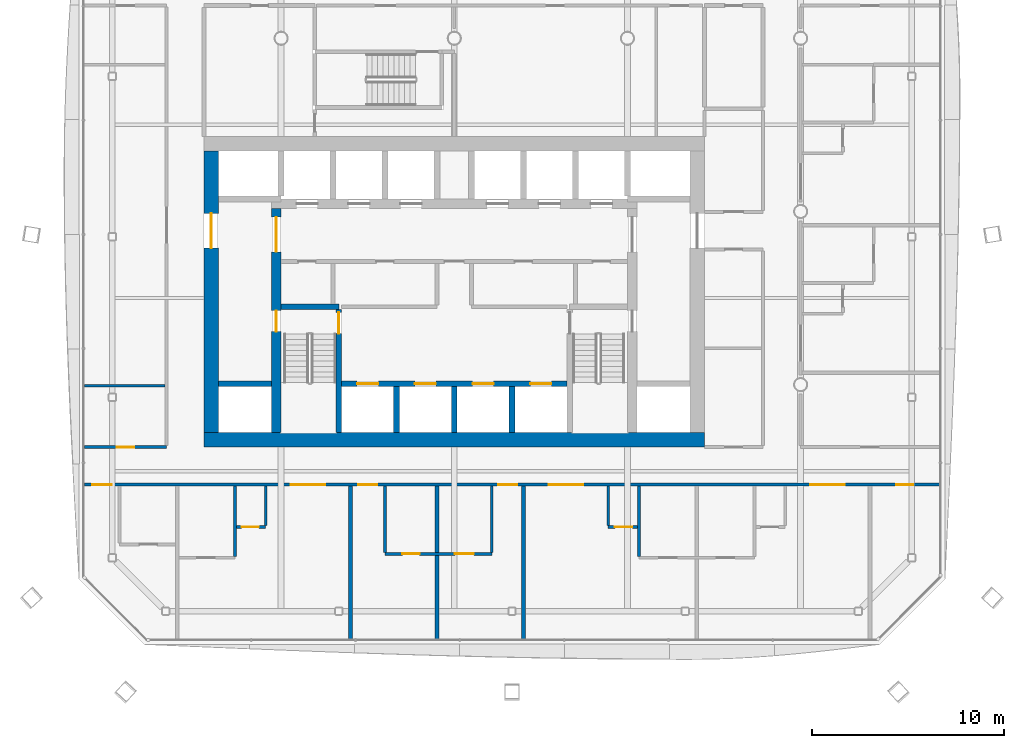
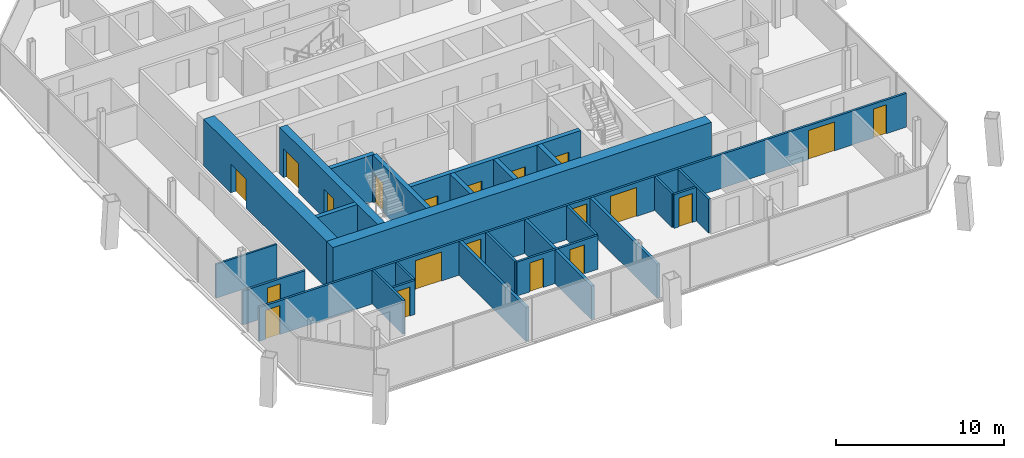
# One storey, part 13 of 21: 25 walls, 20 doors, 20 openings.
"""IFC4 building model written with IfcOpenShell, lengths in metres."""

from ifc_helpers import new_model, si_unit, direction, frame, frame_2d, origin, place, context, subcontext, project, spatial, rectangle, extrude, material, layer, layer_set, type_object, element, fill, save


model = new_model("IFC4")

# Units and contexts
model_context = context("Model", 3, precision=1e-05, world=origin(), true_north=direction((0.0, 1.0)))
body_context = subcontext(model_context, "Body", "Model", "MODEL_VIEW")
ifc_project = project(units=[si_unit("LENGTHUNIT", "METRE"), si_unit("AREAUNIT", "SQUARE_METRE"), si_unit("VOLUMEUNIT", "CUBIC_METRE"), si_unit("PLANEANGLEUNIT", "RADIAN"), si_unit("MASSUNIT", "GRAM", prefix="KILO")], contexts=[model_context])

# Site, building, storey
site_placement = place(None, origin())
site = spatial("IfcSite", under=ifc_project, at=site_placement, CompositionType="ELEMENT")
building_placement = place(site_placement, origin())
building = spatial("IfcBuilding", under=site, at=building_placement, Name="Tskaro Facet Tower", CompositionType="ELEMENT")
storey_placement = place(building_placement, frame((0.0, 0.0, 148.699951171875)))
storey = spatial("IfcBuildingStorey", under=building, at=storey_placement, Name="L36", CompositionType="ELEMENT", Elevation=148.699951171875)

# Wall
ifc_material_1 = material(Name="Concrete C60/75", Category="concrete")
ifc_layer_1 = layer(ifc_material_1, 0.300048828125, Name="Concrete C60/75")
ifc_layer_set_1 = layer_set([ifc_layer_1], Name="Concrete C60/75")
wall_type_1 = type_object("IfcWallType", Name="CORE-SHAFT", PredefinedType="SHEAR", material=ifc_layer_set_1)
wall_1_placement = place(storey_placement, frame((-12.25, -8.949951171875, 0.0), z_axis=(0.0, 0.0, 1.0), x_axis=(1.0, 0.0, 0.0)))
element("IfcWall", 1, at=wall_1_placement, inside=storey, type_object=wall_type_1, Name="Shaft wall W013", PredefinedType="SHEAR", context=body_context, shape_type="SweptSolid", body=[
    extrude(rectangle(XDim=2.75, YDim=0.300048828125, at=frame_2d((1.375, 0.0))), origin(), (0.0, 0.0, 1.0), 3.400146484375),
])

# Wall, openings, doors
wall_2_placement = place(storey_placement, frame((-5.85009765625, -8.949951171875, 0.0), z_axis=(0.0, 0.0, 1.0), x_axis=(1.0, 0.0, 0.0)))
wall_2 = element("IfcWall", 2, at=wall_2_placement, inside=storey, type_object=wall_type_1, Name="Shaft wall W014", PredefinedType="SHEAR", context=body_context, shape_type="SweptSolid", body=[
    extrude(rectangle(XDim=11.7001953125, YDim=0.300048828125, at=frame_2d((5.85009765625, 0.0))), origin(), (0.0, 0.0, 1.0), 3.400146484375),
])
opening_1_placement = place(wall_2_placement, frame((0.800048828125, 0.0, 0.0)))
opening_1 = element("IfcOpeningElement", 3, at=opening_1_placement, cuts=wall_2, Name="Opening LD-FF1", PredefinedType="OPENING", context=body_context, shape_type="SweptSolid", body=[
    extrude(rectangle(XDim=1.10009765625, YDim=2.10009765625, at=frame_2d((0.550048828125, 1.050048828125))), frame((0.0, 0.159912109375, 0.0), z_axis=(0.0, -1.0, 0.0), x_axis=(1.0, 0.0, 0.0)), (0.0, 0.0, 1.0), 0.320068359375),
])
opening_2_placement = place(wall_2_placement, frame((3.800048828125, 0.0, 0.0)))
opening_2 = element("IfcOpeningElement", 4, at=opening_2_placement, cuts=wall_2, Name="Opening LD-FF2", PredefinedType="OPENING", context=body_context, shape_type="SweptSolid", body=[
    extrude(rectangle(XDim=1.10009765625, YDim=2.10009765625, at=frame_2d((0.550048828125, 1.050048828125))), frame((0.0, 0.159912109375, 0.0), z_axis=(0.0, -1.0, 0.0), x_axis=(1.0, 0.0, 0.0)), (0.0, 0.0, 1.0), 0.320068359375),
])
opening_3_placement = place(wall_2_placement, frame((6.800048828125, 0.0, 0.0)))
opening_3 = element("IfcOpeningElement", 5, at=opening_3_placement, cuts=wall_2, Name="Opening LD-SV1", PredefinedType="OPENING", context=body_context, shape_type="SweptSolid", body=[
    extrude(rectangle(XDim=1.10009765625, YDim=2.10009765625, at=frame_2d((0.550048828125, 1.050048828125))), frame((0.0, 0.159912109375, 0.0), z_axis=(0.0, -1.0, 0.0), x_axis=(1.0, 0.0, 0.0)), (0.0, 0.0, 1.0), 0.320068359375),
])
opening_4_placement = place(wall_2_placement, frame((9.800048828125, 0.0, 0.0)))
opening_4 = element("IfcOpeningElement", 6, at=opening_4_placement, cuts=wall_2, Name="Opening LD-SV2", PredefinedType="OPENING", context=body_context, shape_type="SweptSolid", body=[
    extrude(rectangle(XDim=1.10009765625, YDim=2.10009765625, at=frame_2d((0.550048828125, 1.050048828125))), frame((0.0, 0.159912109375, 0.0), z_axis=(0.0, -1.0, 0.0), x_axis=(1.0, 0.0, 0.0)), (0.0, 0.0, 1.0), 0.320068359375),
])
ifc_material_2 = material(Name="Stainless steel", Category="steel")
door_type_1 = type_object("IfcDoorType", Name="D-LANDING", OperationType="NOTDEFINED", PredefinedType="DOOR", material=ifc_material_2)
door_1_placement = place(opening_1_placement, origin())
door_1 = element("IfcDoor", 7, at=door_1_placement, inside=storey, type_object=door_type_1, Name="Landing door FF1", OperationType="DOUBLE_DOOR_SLIDING", OverallHeight=2.10009765625, OverallWidth=1.10009765625, PredefinedType="DOOR", context=body_context, shape_type="SweptSolid", body=[
    extrude(rectangle(XDim=1.10009765625, YDim=2.10009765625, at=frame_2d((0.550048828125, 1.050048828125))), frame((0.0, 0.02490234375, 0.0), z_axis=(0.0, -1.0, 0.0), x_axis=(1.0, 0.0, 0.0)), (0.0, 0.0, 1.0), 0.050048828125),
])
fill(opening_1, door_1)
door_2_placement = place(opening_2_placement, origin())
door_2 = element("IfcDoor", 8, at=door_2_placement, inside=storey, type_object=door_type_1, Name="Landing door FF2", OperationType="DOUBLE_DOOR_SLIDING", OverallHeight=2.10009765625, OverallWidth=1.10009765625, PredefinedType="DOOR", context=body_context, shape_type="SweptSolid", body=[
    extrude(rectangle(XDim=1.10009765625, YDim=2.10009765625, at=frame_2d((0.550048828125, 1.050048828125))), frame((0.0, 0.02490234375, 0.0), z_axis=(0.0, -1.0, 0.0), x_axis=(1.0, 0.0, 0.0)), (0.0, 0.0, 1.0), 0.050048828125),
])
fill(opening_2, door_2)
door_3_placement = place(opening_3_placement, origin())
door_3 = element("IfcDoor", 9, at=door_3_placement, inside=storey, type_object=door_type_1, Name="Landing door SV1", OperationType="DOUBLE_DOOR_SLIDING", OverallHeight=2.10009765625, OverallWidth=1.10009765625, PredefinedType="DOOR", context=body_context, shape_type="SweptSolid", body=[
    extrude(rectangle(XDim=1.10009765625, YDim=2.10009765625, at=frame_2d((0.550048828125, 1.050048828125))), frame((0.0, 0.02490234375, 0.0), z_axis=(0.0, -1.0, 0.0), x_axis=(1.0, 0.0, 0.0)), (0.0, 0.0, 1.0), 0.050048828125),
])
fill(opening_3, door_3)
door_4_placement = place(opening_4_placement, origin())
door_4 = element("IfcDoor", 10, at=door_4_placement, inside=storey, type_object=door_type_1, Name="Landing door SV2", OperationType="DOUBLE_DOOR_SLIDING", OverallHeight=2.10009765625, OverallWidth=1.10009765625, PredefinedType="DOOR", context=body_context, shape_type="SweptSolid", body=[
    extrude(rectangle(XDim=1.10009765625, YDim=2.10009765625, at=frame_2d((0.550048828125, 1.050048828125))), frame((0.0, 0.02490234375, 0.0), z_axis=(0.0, -1.0, 0.0), x_axis=(1.0, 0.0, 0.0)), (0.0, 0.0, 1.0), 0.050048828125),
])
fill(opening_4, door_4)

# Wall
wall_3_placement = place(storey_placement, frame((-9.0, -4.949951171875, 0.0), z_axis=(0.0, 0.0, 1.0), x_axis=(1.0, 0.0, 0.0)))
element("IfcWall", 11, at=wall_3_placement, inside=storey, type_object=wall_type_1, Name="Shaft wall W019", PredefinedType="SHEAR", context=body_context, shape_type="SweptSolid", body=[
    extrude(rectangle(XDim=3.0, YDim=0.300048828125, at=frame_2d((1.5, 0.0))), origin(), (0.0, 0.0, 1.0), 3.400146484375),
])

# Wall, opening, door
wall_4_placement = place(storey_placement, frame((-6.0, -11.5, 0.0), z_axis=(0.0, 0.0, 1.0), x_axis=(0.0, 1.0, 0.0)))
wall_4 = element("IfcWall", 12, at=wall_4_placement, inside=storey, type_object=wall_type_1, Name="Shaft wall W070", PredefinedType="SHEAR", context=body_context, shape_type="SweptSolid", body=[
    extrude(rectangle(XDim=6.39990234375, YDim=0.300048828125, at=frame_2d((3.199951171875, 0.0))), origin(), (0.0, 0.0, 1.0), 3.400146484375),
])
opening_5_placement = place(wall_4_placement, frame((5.14990234375, 0.0, 0.0)))
opening_5 = element("IfcOpeningElement", 13, at=opening_5_placement, cuts=wall_4, Name="Opening ST-1-D1", PredefinedType="OPENING", context=body_context, shape_type="SweptSolid", body=[
    extrude(rectangle(XDim=1.10009765625, YDim=2.10009765625, at=frame_2d((0.550048828125, 1.050048828125))), frame((0.0, 0.159912109375, 0.0), z_axis=(0.0, -1.0, 0.0), x_axis=(1.0, 0.0, 0.0)), (0.0, 0.0, 1.0), 0.320068359375),
])
ifc_material_3 = material(Name="Steel", Category="steel")
door_type_2 = type_object("IfcDoorType", Name="D-STAIR", OperationType="NOTDEFINED", PredefinedType="DOOR", material=ifc_material_3)
door_5_placement = place(opening_5_placement, origin())
door_5 = element("IfcDoor", 14, at=door_5_placement, inside=storey, type_object=door_type_2, Name="Stair door 1", OperationType="SINGLE_SWING_LEFT", OverallHeight=2.10009765625, OverallWidth=1.10009765625, PredefinedType="DOOR", context=body_context, shape_type="SweptSolid", body=[
    extrude(rectangle(XDim=1.10009765625, YDim=2.10009765625, at=frame_2d((0.550048828125, 1.050048828125))), frame((0.0, 0.02490234375, 0.0), z_axis=(0.0, -1.0, 0.0), x_axis=(1.0, 0.0, 0.0)), (0.0, 0.0, 1.0), 0.050048828125),
])
fill(opening_5, door_5)

# Walls
for number, where, z_axis, x_axis, name in (
    (15, (-3.0, -11.5, 0.0), (0.0, 0.0, 1.0), (0.0, 1.0, 0.0), "Shaft wall W075"),
    (16, (0.0, -11.5, 0.0), (0.0, 0.0, 1.0), (0.0, 1.0, 0.0), "Shaft wall W081"),
    (17, (3.0, -11.5, 0.0), (0.0, 0.0, 1.0), (0.0, 1.0, 0.0), "Shaft wall W088"),
):
    element("IfcWall", number, at=place(storey_placement, frame(where, z_axis=z_axis, x_axis=x_axis)), inside=storey, type_object=wall_type_1, Name=name, PredefinedType="SHEAR", context=body_context, shape_type="SweptSolid", body=[
        extrude(rectangle(XDim=2.39990234375, YDim=0.300048828125, at=frame_2d((1.199951171875, 0.0))), origin(), (0.0, 0.0, 1.0), 3.400146484375),
    ])

# Wall, openings, doors
ifc_material_4 = material(Name="Concrete C40/50", Category="concrete")
ifc_layer_2 = layer(ifc_material_4, 0.5, Name="Concrete C40/50")
ifc_layer_set_2 = layer_set([ifc_layer_2], Name="Concrete C40/50")
wall_type_2 = type_object("IfcWallType", Name="Core wall 500", PredefinedType="SHEAR", material=ifc_layer_set_2)
wall_5_placement = place(storey_placement, frame((-9.25, -11.5, 0.0), z_axis=(0.0, 0.0, 1.0), x_axis=(0.0, 1.0, 0.0)))
wall_5 = element("IfcWall", 18, at=wall_5_placement, inside=storey, type_object=wall_type_2, Name="Core wall CW-Z3W", PredefinedType="SHEAR", context=body_context, shape_type="SweptSolid", body=[
    extrude(rectangle(XDim=11.64990234375, YDim=0.5, at=frame_2d((5.824951171875, 0.0))), origin(), (0.0, 0.0, 1.0), 3.400146484375),
])
opening_6_placement = place(wall_5_placement, frame((9.39990234375, 0.0, 0.0)))
opening_6 = element("IfcOpeningElement", 19, at=opening_6_placement, cuts=wall_5, Name="Opening T10-D30", PredefinedType="OPENING", context=body_context, shape_type="SweptSolid", body=[
    extrude(rectangle(XDim=1.800048828125, YDim=2.10009765625, at=frame_2d((0.89990234375, 1.050048828125))), frame((0.0, 0.260009765625, 0.0), z_axis=(0.0, -1.0, 0.0), x_axis=(1.0, 0.0, 0.0)), (0.0, 0.0, 1.0), 0.52001953125),
])
opening_7_placement = place(wall_5_placement, frame((5.25, 0.0, 0.0)))
opening_7 = element("IfcOpeningElement", 20, at=opening_7_placement, cuts=wall_5, Name="Opening ST-1-D2", PredefinedType="OPENING", context=body_context, shape_type="SweptSolid", body=[
    extrude(rectangle(XDim=1.10009765625, YDim=2.10009765625, at=frame_2d((0.550048828125, 1.050048828125))), frame((0.0, 0.260009765625, 0.0), z_axis=(0.0, -1.0, 0.0), x_axis=(1.0, 0.0, 0.0)), (0.0, 0.0, 1.0), 0.52001953125),
])
door_type_3 = type_object("IfcDoorType", Name="D-CORE-PAIR", OperationType="NOTDEFINED", PredefinedType="DOOR", material=ifc_material_3)
door_6_placement = place(opening_6_placement, origin())
door_6 = element("IfcDoor", 21, at=door_6_placement, inside=storey, type_object=door_type_3, Name="Door T10-D30", OperationType="DOUBLE_DOOR_SINGLE_SWING", OverallHeight=2.10009765625, OverallWidth=1.800048828125, PredefinedType="DOOR", context=body_context, shape_type="SweptSolid", body=[
    extrude(rectangle(XDim=1.800048828125, YDim=2.10009765625, at=frame_2d((0.89990234375, 1.050048828125))), frame((0.0, 0.02490234375, 0.0), z_axis=(0.0, -1.0, 0.0), x_axis=(1.0, 0.0, 0.0)), (0.0, 0.0, 1.0), 0.050048828125),
])
fill(opening_6, door_6)
door_7_placement = place(opening_7_placement, origin())
door_7 = element("IfcDoor", 22, at=door_7_placement, inside=storey, type_object=door_type_2, Name="Stair door 1 west", OperationType="SINGLE_SWING_LEFT", OverallHeight=2.10009765625, OverallWidth=1.10009765625, PredefinedType="DOOR", context=body_context, shape_type="SweptSolid", body=[
    extrude(rectangle(XDim=1.10009765625, YDim=2.10009765625, at=frame_2d((0.550048828125, 1.050048828125))), frame((0.0, 0.02490234375, 0.0), z_axis=(0.0, -1.0, 0.0), x_axis=(1.0, 0.0, 0.0)), (0.0, 0.0, 1.0), 0.050048828125),
])
fill(opening_7, door_7)

# Wall
ifc_material_5 = material(Name="Concrete C50/60", Category="concrete")
ifc_layer_3 = layer(ifc_material_5, 0.75, Name="Concrete C50/60")
ifc_layer_set_3 = layer_set([ifc_layer_3], Name="Concrete C50/60")
wall_type_3 = type_object("IfcWallType", Name="Core wall 750", PredefinedType="SHEAR", material=ifc_layer_set_3)
wall_6_placement = place(storey_placement, frame((-13.0, -11.875, 0.0), z_axis=(0.0, 0.0, 1.0), x_axis=(1.0, 0.0, 0.0)))
element("IfcWall", 23, at=wall_6_placement, inside=storey, type_object=wall_type_3, Name="Core wall CW-Z2S", PredefinedType="SHEAR", context=body_context, shape_type="SweptSolid", body=[
    extrude(rectangle(XDim=26.0, YDim=0.75, at=frame_2d((13.0, 0.0))), origin(), (0.0, 0.0, 1.0), 3.400146484375),
])

# Wall, opening, door
wall_7_placement = place(storey_placement, frame((-12.625, -11.5, 0.0), z_axis=(0.0, 0.0, 1.0), x_axis=(0.0, 1.0, 0.0)))
wall_7 = element("IfcWall", 24, at=wall_7_placement, inside=storey, type_object=wall_type_3, Name="Core wall CW-Z2W", PredefinedType="SHEAR", context=body_context, shape_type="SweptSolid", body=[
    extrude(rectangle(XDim=14.64990234375, YDim=0.75, at=frame_2d((7.324951171875, 0.0))), origin(), (0.0, 0.0, 1.0), 3.400146484375),
])
opening_8_placement = place(wall_7_placement, frame((9.60009765625, 0.0, 0.0)))
opening_8 = element("IfcOpeningElement", 25, at=opening_8_placement, cuts=wall_7, Name="Opening T10-D32", PredefinedType="OPENING", context=body_context, shape_type="SweptSolid", body=[
    extrude(rectangle(XDim=1.800048828125, YDim=2.10009765625, at=frame_2d((0.89990234375, 1.050048828125))), frame((0.0, 0.385009765625, 0.0), z_axis=(0.0, -1.0, 0.0), x_axis=(1.0, 0.0, 0.0)), (0.0, 0.0, 1.0), 0.77001953125),
])
door_8_placement = place(opening_8_placement, origin())
door_8 = element("IfcDoor", 26, at=door_8_placement, inside=storey, type_object=door_type_3, Name="Door T10-D32", OperationType="DOUBLE_DOOR_SINGLE_SWING", OverallHeight=2.10009765625, OverallWidth=1.800048828125, PredefinedType="DOOR", context=body_context, shape_type="SweptSolid", body=[
    extrude(rectangle(XDim=1.800048828125, YDim=2.10009765625, at=frame_2d((0.89990234375, 1.050048828125))), frame((0.0, 0.02490234375, 0.0), z_axis=(0.0, -1.0, 0.0), x_axis=(1.0, 0.0, 0.0)), (0.0, 0.0, 1.0), 0.050048828125),
])
fill(opening_8, door_8)

# Wall
ifc_material_6 = material(Name="Gypsum board on steel studs", Category="steel")
ifc_layer_4 = layer(ifc_material_6, 0.125, Name="Gypsum board on steel studs")
ifc_layer_set_4 = layer_set([ifc_layer_4], Name="Gypsum board on steel studs")
wall_type_4 = type_object("IfcWallType", Name="PART", PredefinedType="PARTITIONING", material=ifc_layer_set_4)
wall_8_placement = place(storey_placement, frame((-19.221923828125, -9.056884765625, 0.0), z_axis=(0.0, 0.0, 1.0), x_axis=(1.0, 0.0, 0.0)))
element("IfcWall", 27, at=wall_8_placement, inside=storey, type_object=wall_type_4, Name="Partition W012", PredefinedType="PARTITIONING", context=body_context, shape_type="SweptSolid", body=[
    extrude(rectangle(XDim=4.197021484375, YDim=0.125, at=frame_2d((2.0986328125, 0.0))), origin(), (0.0, 0.0, 1.0), 2.4599609375),
])

# Wall, openings, doors
ifc_layer_5 = layer(ifc_material_6, 0.14990234375, Name="Gypsum board on steel studs")
ifc_layer_set_5 = layer_set([ifc_layer_5], Name="Gypsum board on steel studs")
wall_type_5 = type_object("IfcWallType", Name="PART-CORR", PredefinedType="PARTITIONING", material=ifc_layer_set_5)
wall_9_placement = place(storey_placement, frame((-3.60009765625, -17.800048828125, 0.0), z_axis=(0.0, 0.0, 1.0), x_axis=(1.0, 0.0, 0.0)))
wall_9 = element("IfcWall", 28, at=wall_9_placement, inside=storey, type_object=wall_type_5, Name="Corridor wall W003", PredefinedType="PARTITIONING", context=body_context, shape_type="SweptSolid", body=[
    extrude(rectangle(XDim=5.550048828125, YDim=0.14990234375, at=frame_2d((2.77490234375, 0.0))), origin(), (0.0, 0.0, 1.0), 2.4599609375),
])
opening_9_placement = place(wall_9_placement, frame((0.89990234375, 0.0, 0.0)))
opening_9 = element("IfcOpeningElement", 29, at=opening_9_placement, cuts=wall_9, Name="Opening T10-D04", PredefinedType="OPENING", context=body_context, shape_type="SweptSolid", body=[
    extrude(rectangle(XDim=0.89990234375, YDim=2.10009765625, at=frame_2d((0.449951171875, 1.050048828125))), frame((0.0, 0.0849609375, 0.0), z_axis=(0.0, -1.0, 0.0), x_axis=(1.0, 0.0, 0.0)), (0.0, 0.0, 1.0), 0.169921875),
])
opening_10_placement = place(wall_9_placement, frame((3.625, 0.0, 0.0)))
opening_10 = element("IfcOpeningElement", 30, at=opening_10_placement, cuts=wall_9, Name="Opening T10-D05", PredefinedType="OPENING", context=body_context, shape_type="SweptSolid", body=[
    extrude(rectangle(XDim=1.0, YDim=2.10009765625, at=frame_2d((0.5, 1.050048828125))), frame((0.0, 0.0849609375, 0.0), z_axis=(0.0, -1.0, 0.0), x_axis=(1.0, 0.0, 0.0)), (0.0, 0.0, 1.0), 0.169921875),
])
ifc_material_7 = material(Name="Timber", Category="wood")
door_type_4 = type_object("IfcDoorType", Name="D-ROOM", OperationType="NOTDEFINED", PredefinedType="DOOR", material=ifc_material_7)
door_9_placement = place(opening_9_placement, origin())
door_9 = element("IfcDoor", 31, at=door_9_placement, inside=storey, type_object=door_type_4, Name="Door T10-D04", OperationType="SINGLE_SWING_LEFT", OverallHeight=2.10009765625, OverallWidth=0.89990234375, PredefinedType="DOOR", context=body_context, shape_type="SweptSolid", body=[
    extrude(rectangle(XDim=0.89990234375, YDim=2.10009765625, at=frame_2d((0.449951171875, 1.050048828125))), frame((0.0, 0.02490234375, 0.0), z_axis=(0.0, -1.0, 0.0), x_axis=(1.0, 0.0, 0.0)), (0.0, 0.0, 1.0), 0.050048828125),
])
fill(opening_9, door_9)
door_type_5 = type_object("IfcDoorType", Name="D-ROOM-WIDE", OperationType="NOTDEFINED", PredefinedType="DOOR", material=ifc_material_7)
door_10_placement = place(opening_10_placement, origin())
door_10 = element("IfcDoor", 32, at=door_10_placement, inside=storey, type_object=door_type_5, Name="Door T10-D05", OperationType="SINGLE_SWING_LEFT", OverallHeight=2.10009765625, OverallWidth=1.0, PredefinedType="DOOR", context=body_context, shape_type="SweptSolid", body=[
    extrude(rectangle(XDim=1.0, YDim=2.10009765625, at=frame_2d((0.5, 1.050048828125))), frame((0.0, 0.02490234375, 0.0), z_axis=(0.0, -1.0, 0.0), x_axis=(1.0, 0.0, 0.0)), (0.0, 0.0, 1.0), 0.050048828125),
])
fill(opening_10, door_10)

# Wall, opening, door
wall_10_placement = place(storey_placement, frame((-11.323974609375, -16.39990234375, 0.0), z_axis=(0.0, 0.0, 1.0), x_axis=(1.0, 0.0, 0.0)))
wall_10 = element("IfcWall", 33, at=wall_10_placement, inside=storey, type_object=wall_type_5, Name="Corridor wall W005", PredefinedType="PARTITIONING", context=body_context, shape_type="SweptSolid", body=[
    extrude(rectangle(XDim=1.52490234375, YDim=0.14990234375, at=frame_2d((0.762451171875, 0.0))), origin(), (0.0, 0.0, 1.0), 2.4599609375),
])
opening_11_placement = place(wall_10_placement, frame((0.27490234375, 0.0, 0.0)))
opening_11 = element("IfcOpeningElement", 34, at=opening_11_placement, cuts=wall_10, Name="Opening T10-D07", PredefinedType="OPENING", context=body_context, shape_type="SweptSolid", body=[
    extrude(rectangle(XDim=0.89990234375, YDim=2.10009765625, at=frame_2d((0.449951171875, 1.050048828125))), frame((0.0, 0.0849609375, 0.0), z_axis=(0.0, -1.0, 0.0), x_axis=(1.0, 0.0, 0.0)), (0.0, 0.0, 1.0), 0.169921875),
])
door_11_placement = place(opening_11_placement, origin())
door_11 = element("IfcDoor", 35, at=door_11_placement, inside=storey, type_object=door_type_4, Name="Door T10-D07", OperationType="SINGLE_SWING_LEFT", OverallHeight=2.10009765625, OverallWidth=0.89990234375, PredefinedType="DOOR", context=body_context, shape_type="SweptSolid", body=[
    extrude(rectangle(XDim=0.89990234375, YDim=2.10009765625, at=frame_2d((0.449951171875, 1.050048828125))), frame((0.0, 0.02490234375, 0.0), z_axis=(0.0, -1.0, 0.0), x_axis=(1.0, 0.0, 0.0)), (0.0, 0.0, 1.0), 0.050048828125),
])
fill(opening_11, door_11)

wall_11_placement = place(storey_placement, frame((8.0, -16.39990234375, 0.0), z_axis=(0.0, 0.0, 1.0), x_axis=(1.0, 0.0, 0.0)))
wall_11 = element("IfcWall", 36, at=wall_11_placement, inside=storey, type_object=wall_type_5, Name="Corridor wall W006", PredefinedType="PARTITIONING", context=body_context, shape_type="SweptSolid", body=[
    extrude(rectangle(XDim=1.52490234375, YDim=0.14990234375, at=frame_2d((0.762451171875, 0.0))), origin(), (0.0, 0.0, 1.0), 2.4599609375),
])
opening_12_placement = place(wall_11_placement, frame((0.35009765625, 0.0, 0.0)))
opening_12 = element("IfcOpeningElement", 37, at=opening_12_placement, cuts=wall_11, Name="Opening T10-D08", PredefinedType="OPENING", context=body_context, shape_type="SweptSolid", body=[
    extrude(rectangle(XDim=0.89990234375, YDim=2.10009765625, at=frame_2d((0.449951171875, 1.050048828125))), frame((0.0, 0.0849609375, 0.0), z_axis=(0.0, -1.0, 0.0), x_axis=(1.0, 0.0, 0.0)), (0.0, 0.0, 1.0), 0.169921875),
])
door_12_placement = place(opening_12_placement, origin())
door_12 = element("IfcDoor", 38, at=door_12_placement, inside=storey, type_object=door_type_4, Name="Door T10-D08", OperationType="SINGLE_SWING_LEFT", OverallHeight=2.10009765625, OverallWidth=0.89990234375, PredefinedType="DOOR", context=body_context, shape_type="SweptSolid", body=[
    extrude(rectangle(XDim=0.89990234375, YDim=2.10009765625, at=frame_2d((0.449951171875, 1.050048828125))), frame((0.0, 0.02490234375, 0.0), z_axis=(0.0, -1.0, 0.0), x_axis=(1.0, 0.0, 0.0)), (0.0, 0.0, 1.0), 0.050048828125),
])
fill(opening_12, door_12)

# Wall, openings, doors
wall_12_placement = place(storey_placement, frame((25.221923828125, -14.199951171875, 0.0), z_axis=(0.0, 0.0, 1.0), x_axis=(-1.0, 0.0, 0.0)))
wall_12 = element("IfcWall", 39, at=wall_12_placement, inside=storey, type_object=wall_type_5, Name="Corridor wall W008", PredefinedType="PARTITIONING", context=body_context, shape_type="SweptSolid", body=[
    extrude(rectangle(XDim=44.44384765625, YDim=0.14990234375, at=frame_2d((22.221923828125, 0.0))), origin(), (0.0, 0.0, 1.0), 2.4599609375),
])
opening_13_placement = place(wall_12_placement, frame((43.032470703125, 0.0, 0.0)))
opening_13 = element("IfcOpeningElement", 40, at=opening_13_placement, cuts=wall_12, Name="Opening T10-D10", PredefinedType="OPENING", context=body_context, shape_type="SweptSolid", body=[
    extrude(rectangle(XDim=1.0, YDim=2.10009765625, at=frame_2d((0.5, 1.050048828125))), frame((0.0, 0.0849609375, 0.0), z_axis=(0.0, -1.0, 0.0), x_axis=(1.0, 0.0, 0.0)), (0.0, 0.0, 1.0), 0.169921875),
])
opening_14_placement = place(wall_12_placement, frame((31.92138671875, 0.0, 0.0)))
opening_14 = element("IfcOpeningElement", 41, at=opening_14_placement, cuts=wall_12, Name="Opening T10-D11", PredefinedType="OPENING", context=body_context, shape_type="SweptSolid", body=[
    extrude(rectangle(XDim=1.800048828125, YDim=2.10009765625, at=frame_2d((0.89990234375, 1.050048828125))), frame((0.0, 0.0849609375, 0.0), z_axis=(0.0, -1.0, 0.0), x_axis=(1.0, 0.0, 0.0)), (0.0, 0.0, 1.0), 0.169921875),
])
opening_15_placement = place(wall_12_placement, frame((29.221923828125, 0.0, 0.0)))
opening_15 = element("IfcOpeningElement", 42, at=opening_15_placement, cuts=wall_12, Name="Opening T10-D12", PredefinedType="OPENING", context=body_context, shape_type="SweptSolid", body=[
    extrude(rectangle(XDim=1.0, YDim=2.10009765625, at=frame_2d((0.5, 1.050048828125))), frame((0.0, 0.0849609375, 0.0), z_axis=(0.0, -1.0, 0.0), x_axis=(1.0, 0.0, 0.0)), (0.0, 0.0, 1.0), 0.169921875),
])
opening_16_placement = place(wall_12_placement, frame((21.947021484375, 0.0, 0.0)))
opening_16 = element("IfcOpeningElement", 43, at=opening_16_placement, cuts=wall_12, Name="Opening T10-D13", PredefinedType="OPENING", context=body_context, shape_type="SweptSolid", body=[
    extrude(rectangle(XDim=1.0, YDim=2.10009765625, at=frame_2d((0.5, 1.050048828125))), frame((0.0, 0.0849609375, 0.0), z_axis=(0.0, -1.0, 0.0), x_axis=(1.0, 0.0, 0.0)), (0.0, 0.0, 1.0), 0.169921875),
])
opening_17_placement = place(wall_12_placement, frame((18.52197265625, 0.0, 0.0)))
opening_17 = element("IfcOpeningElement", 44, at=opening_17_placement, cuts=wall_12, Name="Opening T10-D14", PredefinedType="OPENING", context=body_context, shape_type="SweptSolid", body=[
    extrude(rectangle(XDim=1.800048828125, YDim=2.10009765625, at=frame_2d((0.89990234375, 1.050048828125))), frame((0.0, 0.0849609375, 0.0), z_axis=(0.0, -1.0, 0.0), x_axis=(1.0, 0.0, 0.0)), (0.0, 0.0, 1.0), 0.169921875),
])
opening_18_placement = place(wall_12_placement, frame((4.922607421875, 0.0, 0.0)))
opening_18 = element("IfcOpeningElement", 45, at=opening_18_placement, cuts=wall_12, Name="Opening T10-D15", PredefinedType="OPENING", context=body_context, shape_type="SweptSolid", body=[
    extrude(rectangle(XDim=1.800048828125, YDim=2.10009765625, at=frame_2d((0.89990234375, 1.050048828125))), frame((0.0, 0.0849609375, 0.0), z_axis=(0.0, -1.0, 0.0), x_axis=(1.0, 0.0, 0.0)), (0.0, 0.0, 1.0), 0.169921875),
])
opening_19_placement = place(wall_12_placement, frame((1.361572265625, 0.0, 0.0)))
opening_19 = element("IfcOpeningElement", 46, at=opening_19_placement, cuts=wall_12, Name="Opening T10-D16", PredefinedType="OPENING", context=body_context, shape_type="SweptSolid", body=[
    extrude(rectangle(XDim=0.89990234375, YDim=2.10009765625, at=frame_2d((0.449951171875, 1.050048828125))), frame((0.0, 0.0849609375, 0.0), z_axis=(0.0, -1.0, 0.0), x_axis=(1.0, 0.0, 0.0)), (0.0, 0.0, 1.0), 0.169921875),
])
door_type_6 = type_object("IfcDoorType", Name="D-ENTRY", OperationType="NOTDEFINED", PredefinedType="DOOR", material=ifc_material_7)
door_13_placement = place(opening_13_placement, origin())
door_13 = element("IfcDoor", 47, at=door_13_placement, inside=storey, type_object=door_type_6, Name="Door T10-D10", OperationType="SINGLE_SWING_LEFT", OverallHeight=2.10009765625, OverallWidth=1.0, PredefinedType="DOOR", context=body_context, shape_type="SweptSolid", body=[
    extrude(rectangle(XDim=1.0, YDim=2.10009765625, at=frame_2d((0.5, 1.050048828125))), frame((0.0, 0.02490234375, 0.0), z_axis=(0.0, -1.0, 0.0), x_axis=(1.0, 0.0, 0.0)), (0.0, 0.0, 1.0), 0.050048828125),
])
fill(opening_13, door_13)
door_14_placement = place(opening_15_placement, origin())
door_14 = element("IfcDoor", 48, at=door_14_placement, inside=storey, type_object=door_type_6, Name="Door T10-D12", OperationType="SINGLE_SWING_RIGHT", OverallHeight=2.10009765625, OverallWidth=1.0, PredefinedType="DOOR", context=body_context, shape_type="SweptSolid", body=[
    extrude(rectangle(XDim=1.0, YDim=2.10009765625, at=frame_2d((0.5, 1.050048828125))), frame((0.0, 0.02490234375, 0.0), z_axis=(0.0, -1.0, 0.0), x_axis=(1.0, 0.0, 0.0)), (0.0, 0.0, 1.0), 0.050048828125),
])
fill(opening_15, door_14)
door_15_placement = place(opening_16_placement, origin())
door_15 = element("IfcDoor", 49, at=door_15_placement, inside=storey, type_object=door_type_6, Name="Door T10-D13", OperationType="SINGLE_SWING_LEFT", OverallHeight=2.10009765625, OverallWidth=1.0, PredefinedType="DOOR", context=body_context, shape_type="SweptSolid", body=[
    extrude(rectangle(XDim=1.0, YDim=2.10009765625, at=frame_2d((0.5, 1.050048828125))), frame((0.0, 0.02490234375, 0.0), z_axis=(0.0, -1.0, 0.0), x_axis=(1.0, 0.0, 0.0)), (0.0, 0.0, 1.0), 0.050048828125),
])
fill(opening_16, door_15)
door_16_placement = place(opening_19_placement, origin())
door_16 = element("IfcDoor", 50, at=door_16_placement, inside=storey, type_object=door_type_4, Name="Door T10-D16", OperationType="SINGLE_SWING_RIGHT", OverallHeight=2.10009765625, OverallWidth=0.89990234375, PredefinedType="DOOR", context=body_context, shape_type="SweptSolid", body=[
    extrude(rectangle(XDim=0.89990234375, YDim=2.10009765625, at=frame_2d((0.449951171875, 1.050048828125))), frame((0.0, 0.02490234375, 0.0), z_axis=(0.0, -1.0, 0.0), x_axis=(1.0, 0.0, 0.0)), (0.0, 0.0, 1.0), 0.050048828125),
])
fill(opening_19, door_16)
door_type_7 = type_object("IfcDoorType", Name="D-SUITE-PAIR", OperationType="NOTDEFINED", PredefinedType="DOOR", material=ifc_material_7)
door_17_placement = place(opening_14_placement, origin())
door_17 = element("IfcDoor", 51, at=door_17_placement, inside=storey, type_object=door_type_7, Name="Door T10-D11", OperationType="DOUBLE_DOOR_SINGLE_SWING", OverallHeight=2.10009765625, OverallWidth=1.800048828125, PredefinedType="DOOR", context=body_context, shape_type="SweptSolid", body=[
    extrude(rectangle(XDim=1.800048828125, YDim=2.10009765625, at=frame_2d((0.89990234375, 1.050048828125))), frame((0.0, 0.02490234375, 0.0), z_axis=(0.0, -1.0, 0.0), x_axis=(1.0, 0.0, 0.0)), (0.0, 0.0, 1.0), 0.050048828125),
])
fill(opening_14, door_17)
door_18_placement = place(opening_17_placement, origin())
door_18 = element("IfcDoor", 52, at=door_18_placement, inside=storey, type_object=door_type_7, Name="Door T10-D14", OperationType="DOUBLE_DOOR_SINGLE_SWING", OverallHeight=2.10009765625, OverallWidth=1.800048828125, PredefinedType="DOOR", context=body_context, shape_type="SweptSolid", body=[
    extrude(rectangle(XDim=1.800048828125, YDim=2.10009765625, at=frame_2d((0.89990234375, 1.050048828125))), frame((0.0, 0.02490234375, 0.0), z_axis=(0.0, -1.0, 0.0), x_axis=(1.0, 0.0, 0.0)), (0.0, 0.0, 1.0), 0.050048828125),
])
fill(opening_17, door_18)
door_19_placement = place(opening_18_placement, origin())
door_19 = element("IfcDoor", 53, at=door_19_placement, inside=storey, type_object=door_type_7, Name="Door T10-D15", OperationType="DOUBLE_DOOR_SINGLE_SWING", OverallHeight=2.10009765625, OverallWidth=1.800048828125, PredefinedType="DOOR", context=body_context, shape_type="SweptSolid", body=[
    extrude(rectangle(XDim=1.800048828125, YDim=2.10009765625, at=frame_2d((0.89990234375, 1.050048828125))), frame((0.0, 0.02490234375, 0.0), z_axis=(0.0, -1.0, 0.0), x_axis=(1.0, 0.0, 0.0)), (0.0, 0.0, 1.0), 0.050048828125),
])
fill(opening_18, door_19)

# Wall, opening, door
wall_13_placement = place(storey_placement, frame((-19.221923828125, -12.25, 0.0), z_axis=(0.0, 0.0, 1.0), x_axis=(1.0, 0.0, 0.0)))
wall_13 = element("IfcWall", 54, at=wall_13_placement, inside=storey, type_object=wall_type_5, Name="Corridor wall W009", PredefinedType="PARTITIONING", context=body_context, shape_type="SweptSolid", body=[
    extrude(rectangle(XDim=4.27197265625, YDim=0.14990234375, at=frame_2d((2.135986328125, 0.0))), origin(), (0.0, 0.0, 1.0), 2.4599609375),
])
opening_20_placement = place(wall_13_placement, frame((1.68603515625, 0.0, 0.0)))
opening_20 = element("IfcOpeningElement", 55, at=opening_20_placement, cuts=wall_13, Name="Opening T10-D17", PredefinedType="OPENING", context=body_context, shape_type="SweptSolid", body=[
    extrude(rectangle(XDim=0.89990234375, YDim=2.10009765625, at=frame_2d((0.449951171875, 1.050048828125))), frame((0.0, 0.0849609375, 0.0), z_axis=(0.0, -1.0, 0.0), x_axis=(1.0, 0.0, 0.0)), (0.0, 0.0, 1.0), 0.169921875),
])
door_20_placement = place(opening_20_placement, origin())
door_20 = element("IfcDoor", 56, at=door_20_placement, inside=storey, type_object=door_type_4, Name="Door T10-D17", OperationType="SINGLE_SWING_LEFT", OverallHeight=2.10009765625, OverallWidth=0.89990234375, PredefinedType="DOOR", context=body_context, shape_type="SweptSolid", body=[
    extrude(rectangle(XDim=0.89990234375, YDim=2.10009765625, at=frame_2d((0.449951171875, 1.050048828125))), frame((0.0, 0.02490234375, 0.0), z_axis=(0.0, -1.0, 0.0), x_axis=(1.0, 0.0, 0.0)), (0.0, 0.0, 1.0), 0.050048828125),
])
fill(opening_20, door_20)

# Walls
wall_14_placement = place(storey_placement, frame((-11.39892578125, -17.925048828125, 0.0), z_axis=(0.0, 0.0, 1.0), x_axis=(0.0, 1.0, 0.0)))
element("IfcWall", 57, at=wall_14_placement, inside=storey, type_object=wall_type_5, Name="Corridor wall W060", PredefinedType="PARTITIONING", context=body_context, shape_type="SweptSolid", body=[
    extrude(rectangle(XDim=3.650146484375, YDim=0.14990234375, at=frame_2d((1.8251953125, 0.0))), origin(), (0.0, 0.0, 1.0), 2.4599609375),
])
wall_15_placement = place(storey_placement, frame((-9.799072265625, -16.324951171875, 0.0), z_axis=(0.0, 0.0, 1.0), x_axis=(0.0, 1.0, 0.0)))
element("IfcWall", 58, at=wall_15_placement, inside=storey, type_object=wall_type_5, Name="Corridor wall W061", PredefinedType="PARTITIONING", context=body_context, shape_type="SweptSolid", body=[
    extrude(rectangle(XDim=2.050048828125, YDim=0.14990234375, at=frame_2d((1.02490234375, 0.0))), origin(), (0.0, 0.0, 1.0), 2.4599609375),
])
for number, where, z_axis, x_axis, name in (
    (59, (-3.60009765625, -17.72509765625, 0.0), (0.0, 0.0, 1.0), (0.0, 1.0, 0.0), "Corridor wall W073"),
    (60, (1.949951171875, -17.72509765625, 0.0), (0.0, 0.0, 1.0), (0.0, 1.0, 0.0), "Corridor wall W087"),
):
    element("IfcWall", number, at=place(storey_placement, frame(where, z_axis=z_axis, x_axis=x_axis)), inside=storey, type_object=wall_type_5, Name=name, PredefinedType="PARTITIONING", context=body_context, shape_type="SweptSolid", body=[
        extrude(rectangle(XDim=3.4501953125, YDim=0.14990234375, at=frame_2d((1.72509765625, 0.0))), origin(), (0.0, 0.0, 1.0), 2.4599609375),
    ])
wall_16_placement = place(storey_placement, frame((8.0, -16.324951171875, 0.0), z_axis=(0.0, 0.0, 1.0), x_axis=(0.0, 1.0, 0.0)))
element("IfcWall", 61, at=wall_16_placement, inside=storey, type_object=wall_type_5, Name="Corridor wall W097", PredefinedType="PARTITIONING", context=body_context, shape_type="SweptSolid", body=[
    extrude(rectangle(XDim=2.050048828125, YDim=0.14990234375, at=frame_2d((1.02490234375, 0.0))), origin(), (0.0, 0.0, 1.0), 2.4599609375),
])
wall_17_placement = place(storey_placement, frame((9.60009765625, -17.925048828125, 0.0), z_axis=(0.0, 0.0, 1.0), x_axis=(0.0, 1.0, 0.0)))
element("IfcWall", 62, at=wall_17_placement, inside=storey, type_object=wall_type_5, Name="Corridor wall W100", PredefinedType="PARTITIONING", context=body_context, shape_type="SweptSolid", body=[
    extrude(rectangle(XDim=3.650146484375, YDim=0.14990234375, at=frame_2d((1.8251953125, 0.0))), origin(), (0.0, 0.0, 1.0), 2.4599609375),
])
ifc_layer_6 = layer(ifc_material_6, 0.199951171875, Name="Gypsum board on steel studs")
ifc_layer_set_6 = layer_set([ifc_layer_6], Name="Gypsum board on steel studs")
wall_type_6 = type_object("IfcWallType", Name="PART-DEMISING", PredefinedType="PARTITIONING", material=ifc_layer_set_6)
for number, where, z_axis, x_axis, name in (
    (63, (-5.39990234375, -22.221923828125, 0.0), (0.0, 0.0, 1.0), (0.0, 1.0, 0.0), "Guest room wall W071"),
    (64, (-0.89990234375, -22.221923828125, 0.0), (0.0, 0.0, 1.0), (0.0, 1.0, 0.0), "Guest room wall W077"),
    (65, (3.60009765625, -22.221923828125, 0.0), (0.0, 0.0, 1.0), (0.0, 1.0, 0.0), "Guest room wall W089"),
):
    element("IfcWall", number, at=place(storey_placement, frame(where, z_axis=z_axis, x_axis=x_axis)), inside=storey, type_object=wall_type_6, Name=name, PredefinedType="PARTITIONING", context=body_context, shape_type="SweptSolid", body=[
        extrude(rectangle(XDim=7.947021484375, YDim=0.199951171875, at=frame_2d((3.9736328125, 0.0))), origin(), (0.0, 0.0, 1.0), 2.4599609375),
    ])

save(model, "model.ifc")
